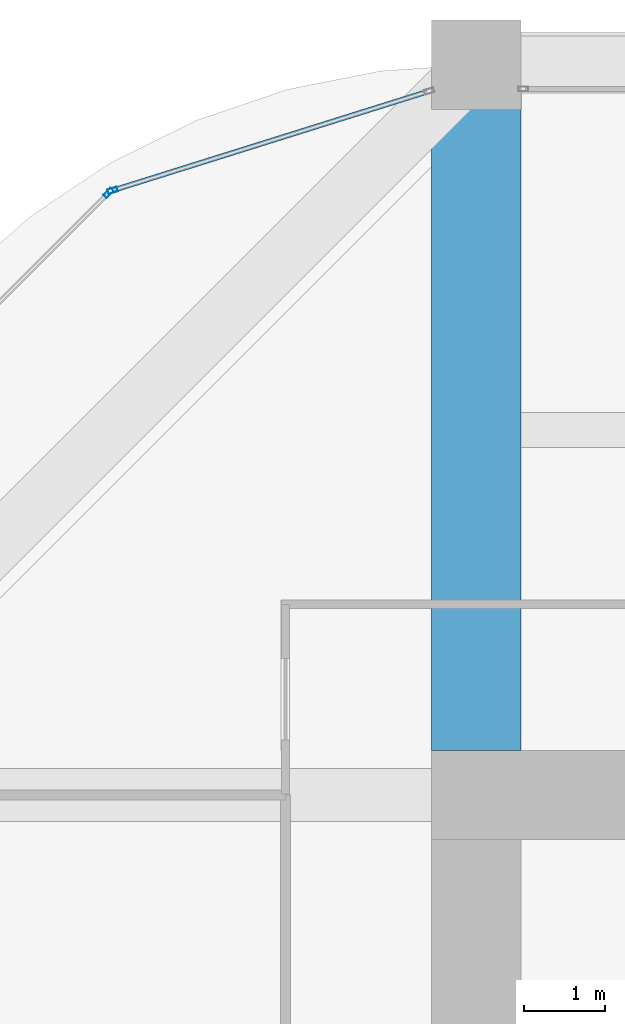
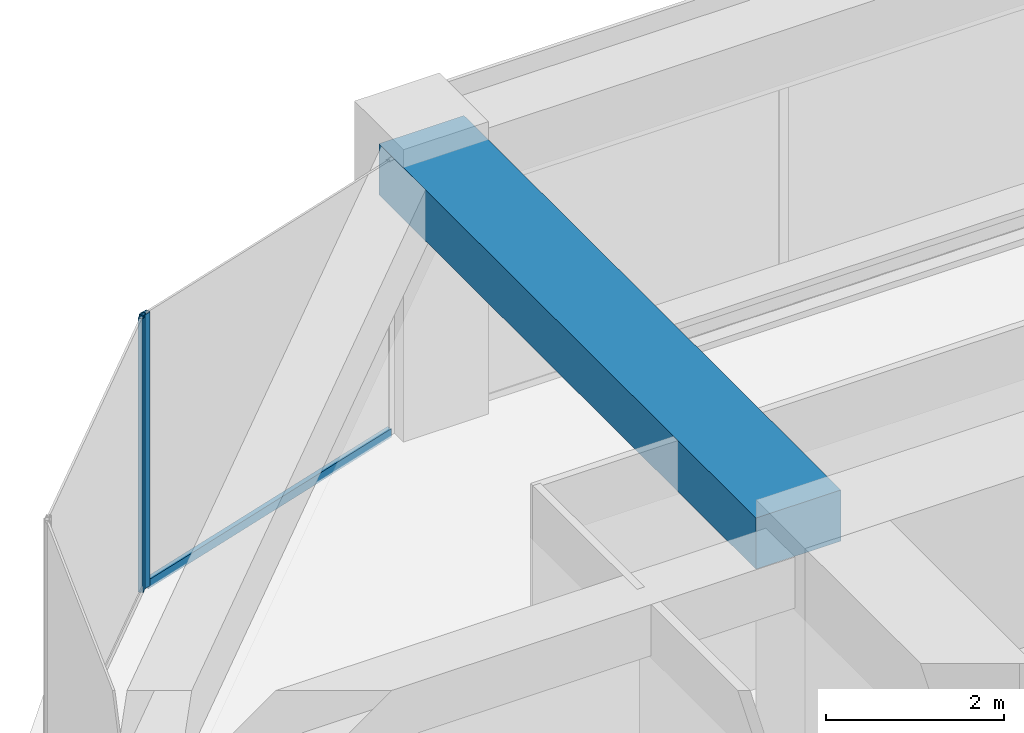
# One storey, part 30 of 44: 3 members, 1 beam, 2 elements without a shape of their own.
"""IFC4 building model written with IfcOpenShell, lengths in metres."""

from ifc_helpers import new_model, si_unit, direction, frame, origin, origin_2d, place, context, subcontext, project, spatial, rectangle, hollow_rectangle, extrude, material, material_profile, profile_set, type_object, element, aggregate, save


model = new_model("IFC4")

# Units and contexts
model_context = context("Model", 3, precision=1e-05, world=origin(), true_north=direction((0.0, 1.0)))
body_context = subcontext(model_context, "Body", "Model", "MODEL_VIEW")
ifc_project = project(units=[si_unit("LENGTHUNIT", "METRE"), si_unit("AREAUNIT", "SQUARE_METRE"), si_unit("VOLUMEUNIT", "CUBIC_METRE"), si_unit("PLANEANGLEUNIT", "RADIAN"), si_unit("MASSUNIT", "GRAM", prefix="KILO")], contexts=[model_context])

# Site, building, storey
site_placement = place(None, origin())
site = spatial("IfcSite", under=ifc_project, at=site_placement, CompositionType="ELEMENT")
building_placement = place(site_placement, origin())
building = spatial("IfcBuilding", under=site, at=building_placement, Name="Zorevar Civic Tower", CompositionType="ELEMENT")
storey_placement = place(building_placement, frame((0.0, 0.0, 295.39990234375)))
storey = spatial("IfcBuildingStorey", under=building, at=storey_placement, Name="L72", CompositionType="ELEMENT", Elevation=295.39990234375)

# Beam
ifc_material_1 = material(Name="Concrete C50/60", Category="concrete")
ifc_material_profile_1 = material_profile(ifc_material_1, rectangle(XDim=1.10009765625, YDim=0.699951171875, at=origin_2d()), Name="RC 1100x700")
ifc_profile_set_1 = profile_set([ifc_material_profile_1], Name="Concrete C50/60")
beam_type = type_object("IfcBeamType", Name="Beam RC 1100x700", PredefinedType="BEAM", material=ifc_profile_set_1)
beam_placement = place(storey_placement, frame((18.0, 36.550048828125, 3.400146484375), z_axis=(0.0, 1.0, 0.0), x_axis=(-1.0, 0.0, 0.0)))
element("IfcBeam", 1, at=beam_placement, inside=storey, type_object=beam_type, Name="Girder L73", PredefinedType="BEAM", context=body_context, shape_type="SweptSolid", body=[
    extrude(rectangle(XDim=1.10009765625, YDim=0.699951171875, at=origin_2d()), origin(), (0.0, 0.0, 1.0), 8.449951171875),
])

# Curtain wall, member
ifc_material_2 = material(Name="Dark grey solar-control glass in black aluminium frame", Category="aluminium")
curtain_wall_type = type_object("IfcCurtainWallType", Name="Curtain wall CW5 top zone", PredefinedType="NOTDEFINED", material=ifc_material_2)
curtain_wall_1_placement = place(storey_placement, origin())
curtain_wall_1 = element("IfcCurtainWall", 2, at=curtain_wall_1_placement, inside=storey, type_object=curtain_wall_type, Name="CW5 L72", PredefinedType="NOTDEFINED")
ifc_material_3 = material(Name="Aluminium, black anodised", Category="aluminium")
ifc_material_profile_2 = material_profile(ifc_material_3, hollow_rectangle(XDim=0.06005859375, YDim=0.1201171875, WallThickness=0.0029296875, at=origin_2d()), Name="AL 120x60x3")
ifc_profile_set_2 = profile_set([ifc_material_profile_2], Name="Aluminium, black anodised")
member_type_1 = type_object("IfcMemberType", Name="CW5 mullion AL 120x60x3", PredefinedType="MULLION", material=ifc_profile_set_2)
member_1_placement = place(storey_placement, frame((13.520751953125, 43.449951171875, 0.0), z_axis=(0.0, 0.0, 1.0), x_axis=(0.299317920238, -0.954153437674, 0.0)))
member_1 = element("IfcMember", 3, at=member_1_placement, type_object=member_type_1, Name="CW5 mullion 2", PredefinedType="MULLION", context=body_context, shape_type="SweptSolid", body=[
    extrude(hollow_rectangle(XDim=0.06005859375, YDim=0.1201171875, WallThickness=0.0029296875, at=origin_2d()), origin(), (0.0, 0.0, 1.0), 3.75),
])

curtain_wall_2_placement = place(storey_placement, origin())
curtain_wall_2 = element("IfcCurtainWall", 4, at=curtain_wall_2_placement, inside=storey, type_object=curtain_wall_type, Name="CW5 L72", PredefinedType="NOTDEFINED")
member_2_placement = place(storey_placement, frame((13.470947265625, 43.419677734375, 0.0), z_axis=(0.0, 0.0, 1.0), x_axis=(0.707106781187, -0.707106781187, 0.0)))
member_2 = element("IfcMember", 5, at=member_2_placement, type_object=member_type_1, Name="CW5 mullion 1", PredefinedType="MULLION", context=body_context, shape_type="SweptSolid", body=[
    extrude(hollow_rectangle(XDim=0.06005859375, YDim=0.1201171875, WallThickness=0.0029296875, at=origin_2d()), origin(), (0.0, 0.0, 1.0), 3.75),
])
aggregate(curtain_wall_2, [member_2])

# Member
ifc_material_4 = material(Name="Aluminium, black anodised", Category="aluminium")
ifc_material_profile_3 = material_profile(ifc_material_4, hollow_rectangle(XDim=0.06005859375, YDim=0.1201171875, WallThickness=0.0029296875, at=origin_2d()), Name="AL 120x60x3")
ifc_profile_set_3 = profile_set([ifc_material_profile_3], Name="Aluminium, black anodised")
member_type_2 = type_object("IfcMemberType", Name="CW5 transom AL 120x60x3", PredefinedType="USERDEFINED", material=ifc_profile_set_3)
member_3_placement = place(storey_placement, frame((17.392822265625, 44.66455078125, 0.030029296875), z_axis=(-0.954163457351, -0.299285978047, 0.0), x_axis=(0.299285978047, -0.954163457351, 0.0)))
member_3 = element("IfcMember", 6, at=member_3_placement, type_object=member_type_2, Name="CW5 sill transom", ObjectType="TRANSOM", PredefinedType="USERDEFINED", context=body_context, shape_type="SweptSolid", body=[
    extrude(hollow_rectangle(XDim=0.06005859375, YDim=0.1201171875, WallThickness=0.0029296875, at=origin_2d()), origin(), (0.0, 0.0, 1.0), 4.028076171875),
])

aggregate(curtain_wall_1, [member_1, member_3])

save(model, "model.ifc")
